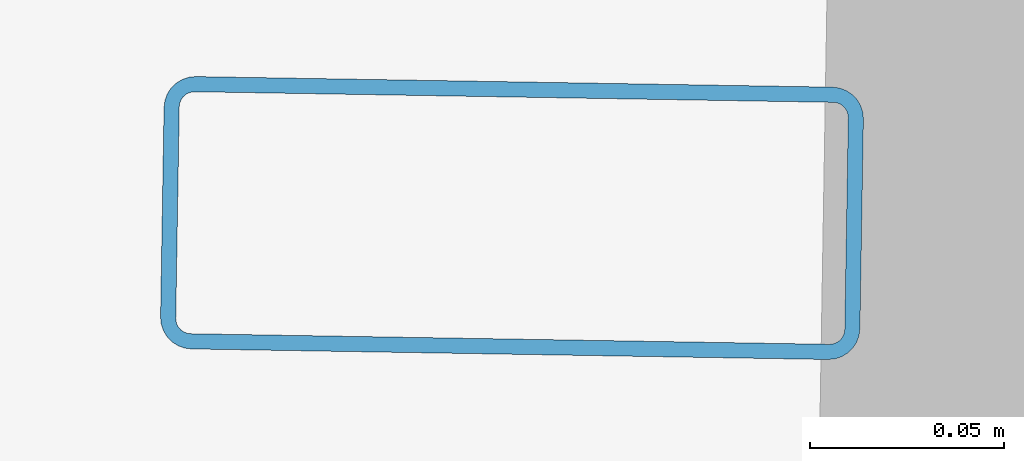
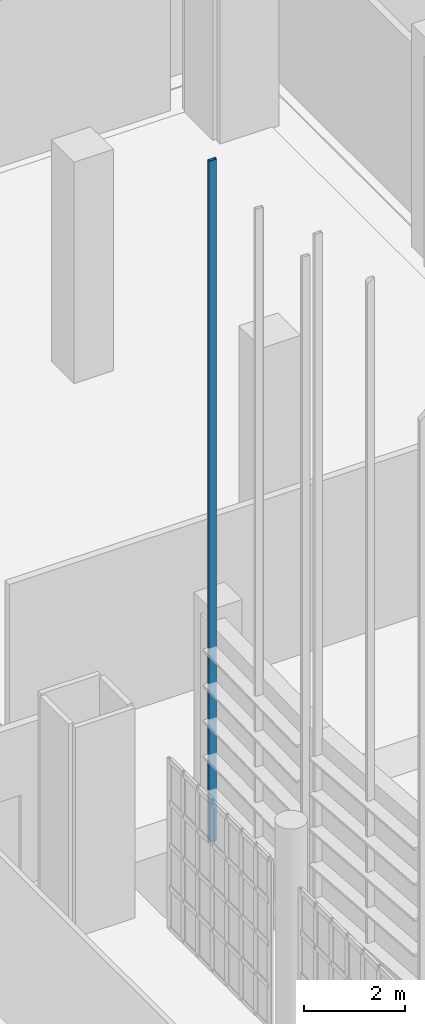
# One storey, part 197 of 372: 1 member.
"""IFC4 building model written with IfcOpenShell, lengths in metres."""

from ifc_helpers import new_model, si_unit, direction, frame, origin, origin_2d, place, context, subcontext, project, spatial, hollow_rectangle, extrude, material, material_profile, profile_set, type_object, element, save


model = new_model("IFC4")

# Units and contexts
model_context = context("Model", 3, precision=1e-05, world=origin(), true_north=direction((0.0, 1.0)))
body_context = subcontext(model_context, "Body", "Model", "MODEL_VIEW")
ifc_project = project(units=[si_unit("LENGTHUNIT", "METRE"), si_unit("AREAUNIT", "SQUARE_METRE"), si_unit("VOLUMEUNIT", "CUBIC_METRE"), si_unit("PLANEANGLEUNIT", "RADIAN"), si_unit("MASSUNIT", "GRAM", prefix="KILO")], contexts=[model_context])

# Site, building, storey
site_placement = place(None, origin())
site = spatial("IfcSite", under=ifc_project, at=site_placement, CompositionType="ELEMENT")
building_placement = place(site_placement, origin())
building = spatial("IfcBuilding", under=site, at=building_placement, Name="Kaelora Sail Theatre", CompositionType="ELEMENT")
storey_placement = place(building_placement, origin())
storey = spatial("IfcBuildingStorey", under=building, at=storey_placement, Name="L00", CompositionType="ELEMENT", Elevation=0.0)

# Member
ifc_material = material(Name="Anodised aluminium 6063-T6", Category="aluminium")
ifc_material_profile = material_profile(ifc_material, hollow_rectangle(XDim=0.070068359375, YDim=0.179931640625, WallThickness=0.00390625, InnerFilletRadius=0.00390625, OuterFilletRadius=0.008056640625, at=origin_2d()), Name="ALU-MULL 70x180x4")
ifc_profile_set = profile_set([ifc_material_profile], Name="Anodised aluminium 6063-T6")
member_type = type_object("IfcMemberType", Name="ARC-MEM-PST-160", PredefinedType="POST", material=ifc_profile_set)
member_placement = place(storey_placement, frame((76.52978515625, 60.412353515625, 0.0), z_axis=(0.0, 0.0, 1.0), x_axis=(0.016579868188, 0.999862544538, 0.0)))
element("IfcMember", 1, at=member_placement, inside=storey, type_object=member_type, Name="Studio Theatre Sail Drum solar louvre vertical support post C20-3", PredefinedType="POST", context=body_context, shape_type="SweptSolid", body=[
    extrude(hollow_rectangle(XDim=0.070068359375, YDim=0.179931640625, WallThickness=0.00390625, InnerFilletRadius=0.00390625, OuterFilletRadius=0.008056640625, at=origin_2d()), origin(), (0.0, 0.0, 1.0), 16.525390625),
])

save(model, "model.ifc")
